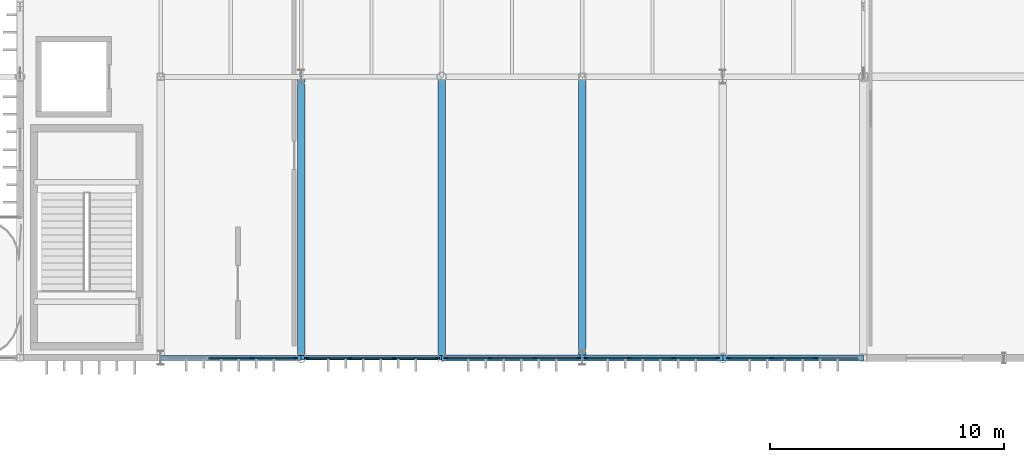
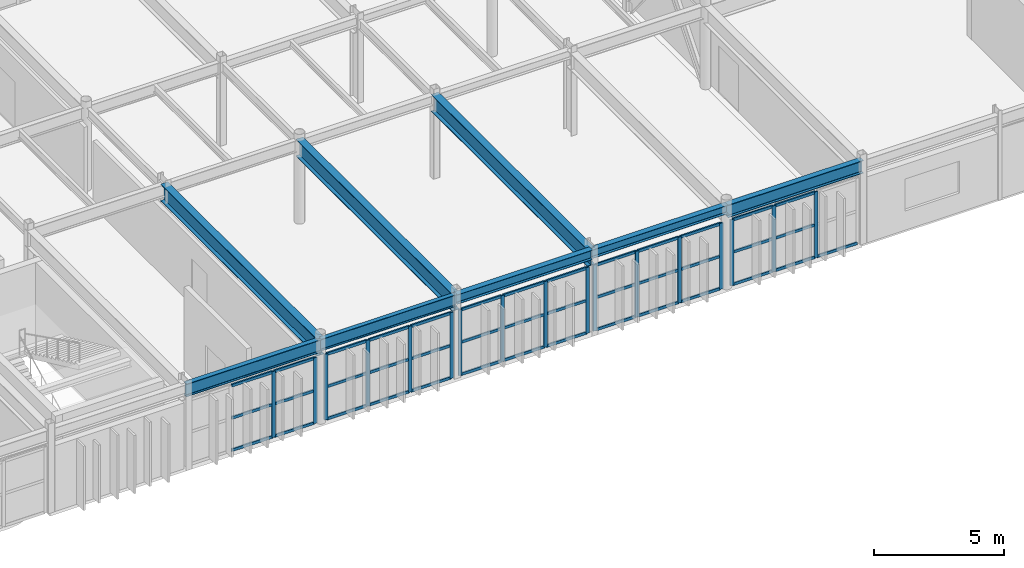
# One storey, part 67 of 116: 57 members, 8 beams, 5 elements without a shape of their own.
"""IFC4 building model written with IfcOpenShell, lengths in metres."""

from ifc_helpers import new_model, si_unit, direction, frame, origin, origin_2d, place, context, subcontext, project, spatial, rectangle, i_section, extrude, material, material_profile, profile_set, type_object, element, aggregate, save


model = new_model("IFC4")

# Units and contexts
model_context = context("Model", 3, precision=1e-05, world=origin(), true_north=direction((0.0, 1.0)))
body_context = subcontext(model_context, "Body", "Model", "MODEL_VIEW")
ifc_project = project(units=[si_unit("LENGTHUNIT", "METRE"), si_unit("AREAUNIT", "SQUARE_METRE"), si_unit("VOLUMEUNIT", "CUBIC_METRE"), si_unit("PLANEANGLEUNIT", "RADIAN"), si_unit("MASSUNIT", "GRAM", prefix="KILO")], contexts=[model_context])

# Site, building, storey
site_placement = place(None, origin())
site = spatial("IfcSite", under=ifc_project, at=site_placement, CompositionType="ELEMENT")
building_placement = place(site_placement, origin())
building = spatial("IfcBuilding", under=site, at=building_placement, Name="Varnakota Square Police Headquarters", CompositionType="ELEMENT")
storey_placement = place(building_placement, frame((0.0, 0.0, 9.300048828125)))
storey = spatial("IfcBuildingStorey", under=building, at=storey_placement, Name="L02", CompositionType="ELEMENT", Elevation=9.300048828125)

# Beams
ifc_material_1 = material(Name="Steel IS 2062 Grade 350", Category="steel")
ifc_material_profile_1 = material_profile(ifc_material_1, i_section(OverallWidth=0.320068359375, OverallDepth=0.800048828125, WebThickness=0.01611328125, FlangeThickness=0.028076171875, at=origin_2d()), Name="BPG 800x320")
ifc_profile_set_1 = profile_set([ifc_material_profile_1], Name="Steel IS 2062 Grade 350")
beam_type_1 = type_object("IfcBeamType", Name="BM-BPG800", PredefinedType="BEAM", material=ifc_profile_set_1)
for number, where, z_axis, x_axis, name in (
    (1, (72.0, 69.0, 3.5), (0.0, 1.0, 0.0), (-1.0, 0.0, 0.0), "BMG-L02-2214"),
    (2, (78.0, 69.0, 3.5), (0.0, 1.0, 0.0), (-1.0, 0.0, 0.0), "BMG-L02-2217"),
    (3, (84.0, 69.0, 3.5), (0.0, 1.0, 0.0), (-1.0, 0.0, 0.0), "BMG-L02-2220"),
):
    element("IfcBeam", number, at=place(storey_placement, frame(where, z_axis=z_axis, x_axis=x_axis)), inside=storey, type_object=beam_type_1, Name=name, PredefinedType="BEAM", context=body_context, shape_type="SweptSolid", body=[
        extrude(i_section(OverallWidth=0.320068359375, OverallDepth=0.800048828125, WebThickness=0.01611328125, FlangeThickness=0.028076171875, at=origin_2d()), origin(), (0.0, 0.0, 1.0), 12.0),
    ])
ifc_material_profile_2 = material_profile(ifc_material_1, i_section(OverallWidth=0.25, OverallDepth=0.39990234375, WebThickness=0.010498046875, FlangeThickness=0.0126953125, FilletRadius=0.013916015625, at=origin_2d()), Name="ISHB 400")
ifc_profile_set_2 = profile_set([ifc_material_profile_2], Name="Steel IS 2062 Grade 350")
beam_type_2 = type_object("IfcBeamType", Name="BM-ISHB400", PredefinedType="BEAM", material=ifc_profile_set_2)
beam_1_placement = place(storey_placement, frame((84.0, 69.0, 3.699951171875), z_axis=(1.0, 0.0, 0.0), x_axis=(0.0, 1.0, 0.0)))
element("IfcBeam", 4, at=beam_1_placement, inside=storey, type_object=beam_type_2, Name="BMG-L02-2018", PredefinedType="BEAM", context=body_context, shape_type="SweptSolid", body=[
    extrude(i_section(OverallWidth=0.25, OverallDepth=0.39990234375, WebThickness=0.010498046875, FlangeThickness=0.0126953125, FilletRadius=0.013916015625, at=origin_2d()), origin(), (0.0, 0.0, 1.0), 6.0),
])
ifc_material_profile_3 = material_profile(ifc_material_1, i_section(OverallWidth=0.25, OverallDepth=0.449951171875, WebThickness=0.01123046875, FlangeThickness=0.013671875, FilletRadius=0.014892578125, at=origin_2d()), Name="ISHB 450")
ifc_profile_set_3 = profile_set([ifc_material_profile_3], Name="Steel IS 2062 Grade 350")
beam_type_3 = type_object("IfcBeamType", Name="BM-ISHB450", PredefinedType="BEAM", material=ifc_profile_set_3)
beam_2_placement = place(storey_placement, frame((78.0, 69.0, 3.675048828125), z_axis=(1.0, 0.0, 0.0), x_axis=(0.0, 1.0, 0.0)))
element("IfcBeam", 5, at=beam_2_placement, inside=storey, type_object=beam_type_3, Name="BMG-L02-2017", PredefinedType="BEAM", context=body_context, shape_type="SweptSolid", body=[
    extrude(i_section(OverallWidth=0.25, OverallDepth=0.449951171875, WebThickness=0.01123046875, FlangeThickness=0.013671875, FilletRadius=0.014892578125, at=origin_2d()), origin(), (0.0, 0.0, 1.0), 6.0),
])
ifc_material_profile_4 = material_profile(ifc_material_1, i_section(OverallWidth=0.18994140625, OverallDepth=0.550048828125, WebThickness=0.01123046875, FlangeThickness=0.019287109375, FilletRadius=0.01806640625, at=origin_2d()), Name="ISMB 550")
ifc_profile_set_4 = profile_set([ifc_material_profile_4], Name="Steel IS 2062 Grade 350")
beam_type_4 = type_object("IfcBeamType", Name="BM-ISMB550", PredefinedType="BEAM", material=ifc_profile_set_4)
beam_3_placement = place(storey_placement, frame((72.0, 69.0, 3.625), z_axis=(1.0, 0.0, 0.0), x_axis=(0.0, 1.0, 0.0)))
element("IfcBeam", 6, at=beam_3_placement, inside=storey, type_object=beam_type_4, Name="BMG-L02-2016", PredefinedType="BEAM", context=body_context, shape_type="SweptSolid", body=[
    extrude(i_section(OverallWidth=0.18994140625, OverallDepth=0.550048828125, WebThickness=0.01123046875, FlangeThickness=0.019287109375, FilletRadius=0.01806640625, at=origin_2d()), origin(), (0.0, 0.0, 1.0), 6.0),
])
ifc_material_profile_5 = material_profile(ifc_material_1, i_section(OverallWidth=0.2099609375, OverallDepth=0.60009765625, WebThickness=0.011962890625, FlangeThickness=0.020751953125, FilletRadius=0.02001953125, at=origin_2d()), Name="ISMB 600")
ifc_profile_set_5 = profile_set([ifc_material_profile_5], Name="Steel IS 2062 Grade 350")
beam_type_5 = type_object("IfcBeamType", Name="BM-ISMB600", PredefinedType="BEAM", material=ifc_profile_set_5)
beam_4_placement = place(storey_placement, frame((66.0, 69.0, 3.599853515625), z_axis=(1.0, 0.0, 0.0), x_axis=(0.0, 1.0, 0.0)))
element("IfcBeam", 7, at=beam_4_placement, inside=storey, type_object=beam_type_5, Name="BMG-L02-2015", PredefinedType="BEAM", context=body_context, shape_type="SweptSolid", body=[
    extrude(i_section(OverallWidth=0.2099609375, OverallDepth=0.60009765625, WebThickness=0.011962890625, FlangeThickness=0.020751953125, FilletRadius=0.02001953125, at=origin_2d()), origin(), (0.0, 0.0, 1.0), 6.0),
])
ifc_material_profile_6 = material_profile(ifc_material_1, i_section(OverallWidth=0.25, OverallDepth=0.60009765625, WebThickness=0.01171875, FlangeThickness=0.023681640625, FilletRadius=0.01708984375, at=origin_2d()), Name="ISWB 600")
ifc_profile_set_6 = profile_set([ifc_material_profile_6], Name="Steel IS 2062 Grade 350")
beam_type_6 = type_object("IfcBeamType", Name="BM-ISWB600", PredefinedType="BEAM", material=ifc_profile_set_6)
beam_5_placement = place(storey_placement, frame((90.0, 69.0, 3.599853515625), z_axis=(1.0, 0.0, 0.0), x_axis=(0.0, 1.0, 0.0)))
element("IfcBeam", 8, at=beam_5_placement, inside=storey, type_object=beam_type_6, Name="BMG-L02-2019", PredefinedType="BEAM", context=body_context, shape_type="SweptSolid", body=[
    extrude(i_section(OverallWidth=0.25, OverallDepth=0.60009765625, WebThickness=0.01171875, FlangeThickness=0.023681640625, FilletRadius=0.01708984375, at=origin_2d()), origin(), (0.0, 0.0, 1.0), 6.0),
])

# Curtain wall, members
ifc_material_2 = material(Name="Anodised Aluminium Framing", Category="aluminium")
curtain_wall_type = type_object("IfcCurtainWallType", Name="CW-SYS-B", PredefinedType="NOTDEFINED", material=ifc_material_2)
curtain_wall_1_placement = place(storey_placement, origin())
curtain_wall_1 = element("IfcCurtainWall", 9, at=curtain_wall_1_placement, inside=storey, type_object=curtain_wall_type, Name="Unitised curtain wall CWG-L02-236", PredefinedType="NOTDEFINED")
ifc_material_3 = material(Name="Anodised Aluminium 6063-T6", Category="aluminium")
ifc_material_profile_7 = material_profile(ifc_material_3, rectangle(XDim=0.06494140625, YDim=0.159912109375, at=origin_2d()), Name="ALU MULLION 65x160")
ifc_profile_set_7 = profile_set([ifc_material_profile_7], Name="Anodised Aluminium 6063-T6")
member_type_1 = type_object("IfcMemberType", Name="CWM-150", PredefinedType="MULLION", material=ifc_profile_set_7)
member_1_placement = place(storey_placement, frame((69.904541015625, 69.0, 0.0), z_axis=(0.0, 0.0, 1.0), x_axis=(0.0, 1.0, 0.0)))
member_1 = element("IfcMember", 10, at=member_1_placement, type_object=member_type_1, Name="CWG-L02-236 mullion 3", PredefinedType="MULLION", context=body_context, shape_type="SweptSolid", body=[
    extrude(rectangle(XDim=0.06494140625, YDim=0.159912109375, at=origin_2d()), origin(), (0.0, 0.0, 1.0), 3.08984375),
])
member_2_placement = place(storey_placement, frame((71.75927734375, 69.0, 0.0), z_axis=(0.0, 0.0, 1.0), x_axis=(0.0, 1.0, 0.0)))
member_2 = element("IfcMember", 11, at=member_2_placement, type_object=member_type_1, Name="CWG-L02-236 mullion 4", PredefinedType="MULLION", context=body_context, shape_type="SweptSolid", body=[
    extrude(rectangle(XDim=0.06494140625, YDim=0.159912109375, at=origin_2d()), origin(), (0.0, 0.0, 1.0), 3.08984375),
])

curtain_wall_2_placement = place(storey_placement, origin())
curtain_wall_2 = element("IfcCurtainWall", 12, at=curtain_wall_2_placement, inside=storey, type_object=curtain_wall_type, Name="Unitised curtain wall CWG-L02-237", PredefinedType="NOTDEFINED")
member_3_placement = place(storey_placement, frame((72.24072265625, 69.0, 0.0), z_axis=(0.0, 0.0, 1.0), x_axis=(0.0, 1.0, 0.0)))
member_3 = element("IfcMember", 13, at=member_3_placement, type_object=member_type_1, Name="CWG-L02-237 mullion 1", PredefinedType="MULLION", context=body_context, shape_type="SweptSolid", body=[
    extrude(rectangle(XDim=0.06494140625, YDim=0.159912109375, at=origin_2d()), origin(), (0.0, 0.0, 1.0), 3.08984375),
])
member_4_placement = place(storey_placement, frame((74.087158203125, 69.0, 0.0), z_axis=(0.0, 0.0, 1.0), x_axis=(0.0, 1.0, 0.0)))
member_4 = element("IfcMember", 14, at=member_4_placement, type_object=member_type_1, Name="CWG-L02-237 mullion 2", PredefinedType="MULLION", context=body_context, shape_type="SweptSolid", body=[
    extrude(rectangle(XDim=0.06494140625, YDim=0.159912109375, at=origin_2d()), origin(), (0.0, 0.0, 1.0), 3.08984375),
])
member_5_placement = place(storey_placement, frame((75.966064453125, 69.0, 0.0), z_axis=(0.0, 0.0, 1.0), x_axis=(0.0, 1.0, 0.0)))
member_5 = element("IfcMember", 15, at=member_5_placement, type_object=member_type_1, Name="CWG-L02-237 mullion 3", PredefinedType="MULLION", context=body_context, shape_type="SweptSolid", body=[
    extrude(rectangle(XDim=0.06494140625, YDim=0.159912109375, at=origin_2d()), origin(), (0.0, 0.0, 1.0), 3.08984375),
])
member_6_placement = place(storey_placement, frame((77.8125, 69.0, 0.0), z_axis=(0.0, 0.0, 1.0), x_axis=(0.0, 1.0, 0.0)))
member_6 = element("IfcMember", 16, at=member_6_placement, type_object=member_type_1, Name="CWG-L02-237 mullion 4", PredefinedType="MULLION", context=body_context, shape_type="SweptSolid", body=[
    extrude(rectangle(XDim=0.06494140625, YDim=0.159912109375, at=origin_2d()), origin(), (0.0, 0.0, 1.0), 3.08984375),
])

curtain_wall_3_placement = place(storey_placement, origin())
curtain_wall_3 = element("IfcCurtainWall", 17, at=curtain_wall_3_placement, inside=storey, type_object=curtain_wall_type, Name="Unitised curtain wall CWG-L02-238", PredefinedType="NOTDEFINED")
member_7_placement = place(storey_placement, frame((78.1875, 69.0, 0.0), z_axis=(0.0, 0.0, 1.0), x_axis=(0.0, 1.0, 0.0)))
member_7 = element("IfcMember", 18, at=member_7_placement, type_object=member_type_1, Name="CWG-L02-238 mullion 1", PredefinedType="MULLION", context=body_context, shape_type="SweptSolid", body=[
    extrude(rectangle(XDim=0.06494140625, YDim=0.159912109375, at=origin_2d()), origin(), (0.0, 0.0, 1.0), 3.08984375),
])
member_8_placement = place(storey_placement, frame((80.06005859375, 69.0, 0.0), z_axis=(0.0, 0.0, 1.0), x_axis=(0.0, 1.0, 0.0)))
member_8 = element("IfcMember", 19, at=member_8_placement, type_object=member_type_1, Name="CWG-L02-238 mullion 2", PredefinedType="MULLION", context=body_context, shape_type="SweptSolid", body=[
    extrude(rectangle(XDim=0.06494140625, YDim=0.159912109375, at=origin_2d()), origin(), (0.0, 0.0, 1.0), 3.08984375),
])
member_9_placement = place(storey_placement, frame((81.965087890625, 69.0, 0.0), z_axis=(0.0, 0.0, 1.0), x_axis=(0.0, 1.0, 0.0)))
member_9 = element("IfcMember", 20, at=member_9_placement, type_object=member_type_1, Name="CWG-L02-238 mullion 3", PredefinedType="MULLION", context=body_context, shape_type="SweptSolid", body=[
    extrude(rectangle(XDim=0.06494140625, YDim=0.159912109375, at=origin_2d()), origin(), (0.0, 0.0, 1.0), 3.08984375),
])
member_10_placement = place(storey_placement, frame((83.83740234375, 69.0, 0.0), z_axis=(0.0, 0.0, 1.0), x_axis=(0.0, 1.0, 0.0)))
member_10 = element("IfcMember", 21, at=member_10_placement, type_object=member_type_1, Name="CWG-L02-238 mullion 4", PredefinedType="MULLION", context=body_context, shape_type="SweptSolid", body=[
    extrude(rectangle(XDim=0.06494140625, YDim=0.159912109375, at=origin_2d()), origin(), (0.0, 0.0, 1.0), 3.08984375),
])

curtain_wall_4_placement = place(storey_placement, origin())
curtain_wall_4 = element("IfcCurtainWall", 22, at=curtain_wall_4_placement, inside=storey, type_object=curtain_wall_type, Name="Unitised curtain wall CWG-L02-239", PredefinedType="NOTDEFINED")
member_11_placement = place(storey_placement, frame((84.16259765625, 69.0, 0.0), z_axis=(0.0, 0.0, 1.0), x_axis=(0.0, 1.0, 0.0)))
member_11 = element("IfcMember", 23, at=member_11_placement, type_object=member_type_1, Name="CWG-L02-239 mullion 1", PredefinedType="MULLION", context=body_context, shape_type="SweptSolid", body=[
    extrude(rectangle(XDim=0.06494140625, YDim=0.159912109375, at=origin_2d()), origin(), (0.0, 0.0, 1.0), 3.08984375),
])
member_12_placement = place(storey_placement, frame((86.017333984375, 69.0, 0.0), z_axis=(0.0, 0.0, 1.0), x_axis=(0.0, 1.0, 0.0)))
member_12 = element("IfcMember", 24, at=member_12_placement, type_object=member_type_1, Name="CWG-L02-239 mullion 2", PredefinedType="MULLION", context=body_context, shape_type="SweptSolid", body=[
    extrude(rectangle(XDim=0.06494140625, YDim=0.159912109375, at=origin_2d()), origin(), (0.0, 0.0, 1.0), 3.08984375),
])
member_13_placement = place(storey_placement, frame((87.904541015625, 69.0, 0.0), z_axis=(0.0, 0.0, 1.0), x_axis=(0.0, 1.0, 0.0)))
member_13 = element("IfcMember", 25, at=member_13_placement, type_object=member_type_1, Name="CWG-L02-239 mullion 3", PredefinedType="MULLION", context=body_context, shape_type="SweptSolid", body=[
    extrude(rectangle(XDim=0.06494140625, YDim=0.159912109375, at=origin_2d()), origin(), (0.0, 0.0, 1.0), 3.08984375),
])
member_14_placement = place(storey_placement, frame((89.75927734375, 69.0, 0.0), z_axis=(0.0, 0.0, 1.0), x_axis=(0.0, 1.0, 0.0)))
member_14 = element("IfcMember", 26, at=member_14_placement, type_object=member_type_1, Name="CWG-L02-239 mullion 4", PredefinedType="MULLION", context=body_context, shape_type="SweptSolid", body=[
    extrude(rectangle(XDim=0.06494140625, YDim=0.159912109375, at=origin_2d()), origin(), (0.0, 0.0, 1.0), 3.08984375),
])

curtain_wall_5_placement = place(storey_placement, origin())
curtain_wall_5 = element("IfcCurtainWall", 27, at=curtain_wall_5_placement, inside=storey, type_object=curtain_wall_type, Name="Unitised curtain wall CWG-L02-240", PredefinedType="NOTDEFINED")
member_15_placement = place(storey_placement, frame((90.24072265625, 69.0, 0.0), z_axis=(0.0, 0.0, 1.0), x_axis=(0.0, 1.0, 0.0)))
member_15 = element("IfcMember", 28, at=member_15_placement, type_object=member_type_1, Name="CWG-L02-240 mullion 1", PredefinedType="MULLION", context=body_context, shape_type="SweptSolid", body=[
    extrude(rectangle(XDim=0.06494140625, YDim=0.159912109375, at=origin_2d()), origin(), (0.0, 0.0, 1.0), 3.08984375),
])
member_16_placement = place(storey_placement, frame((92.087158203125, 69.0, 0.0), z_axis=(0.0, 0.0, 1.0), x_axis=(0.0, 1.0, 0.0)))
member_16 = element("IfcMember", 29, at=member_16_placement, type_object=member_type_1, Name="CWG-L02-240 mullion 2", PredefinedType="MULLION", context=body_context, shape_type="SweptSolid", body=[
    extrude(rectangle(XDim=0.06494140625, YDim=0.159912109375, at=origin_2d()), origin(), (0.0, 0.0, 1.0), 3.08984375),
])
member_17_placement = place(storey_placement, frame((93.966064453125, 69.0, 0.0), z_axis=(0.0, 0.0, 1.0), x_axis=(0.0, 1.0, 0.0)))
member_17 = element("IfcMember", 30, at=member_17_placement, type_object=member_type_1, Name="CWG-L02-240 mullion 3", PredefinedType="MULLION", context=body_context, shape_type="SweptSolid", body=[
    extrude(rectangle(XDim=0.06494140625, YDim=0.159912109375, at=origin_2d()), origin(), (0.0, 0.0, 1.0), 3.08984375),
])

# Member
ifc_material_profile_8 = material_profile(ifc_material_3, rectangle(XDim=0.06494140625, YDim=0.1298828125, at=origin_2d()), Name="ALU TRANSOM 65x130")
ifc_profile_set_8 = profile_set([ifc_material_profile_8], Name="Anodised Aluminium 6063-T6")
member_type_2 = type_object("IfcMemberType", Name="CWT-120", PredefinedType="USERDEFINED", material=ifc_profile_set_8)
member_18_placement = place(storey_placement, frame((68.0498046875, 69.0, 0.032470703125), z_axis=(1.0, 0.0, 0.0), x_axis=(0.0, 1.0, 0.0)))
member_18 = element("IfcMember", 31, at=member_18_placement, type_object=member_type_2, Name="CWG-L02-236 transom 2.1", ObjectType="TRANSOM", PredefinedType="USERDEFINED", context=body_context, shape_type="SweptSolid", body=[
    extrude(rectangle(XDim=0.06494140625, YDim=0.1298828125, at=origin_2d()), origin(), (0.0, 0.0, 1.0), 1.822265625),
])

member_19_placement = place(storey_placement, frame((68.0498046875, 69.0, 1.544921875), z_axis=(1.0, 0.0, 0.0), x_axis=(0.0, 1.0, 0.0)))
member_19 = element("IfcMember", 32, at=member_19_placement, type_object=member_type_2, Name="CWG-L02-236 transom 2.2", ObjectType="TRANSOM", PredefinedType="USERDEFINED", context=body_context, shape_type="SweptSolid", body=[
    extrude(rectangle(XDim=0.06494140625, YDim=0.1298828125, at=origin_2d()), origin(), (0.0, 0.0, 1.0), 1.822265625),
])

member_20_placement = place(storey_placement, frame((68.0498046875, 69.0, 3.057373046875), z_axis=(1.0, 0.0, 0.0), x_axis=(0.0, 1.0, 0.0)))
member_20 = element("IfcMember", 33, at=member_20_placement, type_object=member_type_2, Name="CWG-L02-236 transom 2.3", ObjectType="TRANSOM", PredefinedType="USERDEFINED", context=body_context, shape_type="SweptSolid", body=[
    extrude(rectangle(XDim=0.06494140625, YDim=0.1298828125, at=origin_2d()), origin(), (0.0, 0.0, 1.0), 1.822265625),
])

member_21_placement = place(storey_placement, frame((69.93701171875, 69.0, 0.032470703125), z_axis=(1.0, 0.0, 0.0), x_axis=(0.0, 1.0, 0.0)))
member_21 = element("IfcMember", 34, at=member_21_placement, type_object=member_type_2, Name="CWG-L02-236 transom 3.1", ObjectType="TRANSOM", PredefinedType="USERDEFINED", context=body_context, shape_type="SweptSolid", body=[
    extrude(rectangle(XDim=0.06494140625, YDim=0.1298828125, at=origin_2d()), origin(), (0.0, 0.0, 1.0), 1.789794921875),
])

member_22_placement = place(storey_placement, frame((69.93701171875, 69.0, 1.544921875), z_axis=(1.0, 0.0, 0.0), x_axis=(0.0, 1.0, 0.0)))
member_22 = element("IfcMember", 35, at=member_22_placement, type_object=member_type_2, Name="CWG-L02-236 transom 3.2", ObjectType="TRANSOM", PredefinedType="USERDEFINED", context=body_context, shape_type="SweptSolid", body=[
    extrude(rectangle(XDim=0.06494140625, YDim=0.1298828125, at=origin_2d()), origin(), (0.0, 0.0, 1.0), 1.789794921875),
])

member_23_placement = place(storey_placement, frame((69.93701171875, 69.0, 3.057373046875), z_axis=(1.0, 0.0, 0.0), x_axis=(0.0, 1.0, 0.0)))
member_23 = element("IfcMember", 36, at=member_23_placement, type_object=member_type_2, Name="CWG-L02-236 transom 3.3", ObjectType="TRANSOM", PredefinedType="USERDEFINED", context=body_context, shape_type="SweptSolid", body=[
    extrude(rectangle(XDim=0.06494140625, YDim=0.1298828125, at=origin_2d()), origin(), (0.0, 0.0, 1.0), 1.789794921875),
])

aggregate(curtain_wall_1, [member_1, member_2, member_18, member_19, member_20, member_21, member_22, member_23])

member_24_placement = place(storey_placement, frame((72.273193359375, 69.0, 0.032470703125), z_axis=(1.0, 0.0, 0.0), x_axis=(0.0, 1.0, 0.0)))
member_24 = element("IfcMember", 37, at=member_24_placement, type_object=member_type_2, Name="CWG-L02-237 transom 1.1", ObjectType="TRANSOM", PredefinedType="USERDEFINED", context=body_context, shape_type="SweptSolid", body=[
    extrude(rectangle(XDim=0.06494140625, YDim=0.1298828125, at=origin_2d()), origin(), (0.0, 0.0, 1.0), 1.781494140625),
])

member_25_placement = place(storey_placement, frame((72.273193359375, 69.0, 1.544921875), z_axis=(1.0, 0.0, 0.0), x_axis=(0.0, 1.0, 0.0)))
member_25 = element("IfcMember", 38, at=member_25_placement, type_object=member_type_2, Name="CWG-L02-237 transom 1.2", ObjectType="TRANSOM", PredefinedType="USERDEFINED", context=body_context, shape_type="SweptSolid", body=[
    extrude(rectangle(XDim=0.06494140625, YDim=0.1298828125, at=origin_2d()), origin(), (0.0, 0.0, 1.0), 1.781494140625),
])

member_26_placement = place(storey_placement, frame((72.273193359375, 69.0, 3.057373046875), z_axis=(1.0, 0.0, 0.0), x_axis=(0.0, 1.0, 0.0)))
member_26 = element("IfcMember", 39, at=member_26_placement, type_object=member_type_2, Name="CWG-L02-237 transom 1.3", ObjectType="TRANSOM", PredefinedType="USERDEFINED", context=body_context, shape_type="SweptSolid", body=[
    extrude(rectangle(XDim=0.06494140625, YDim=0.1298828125, at=origin_2d()), origin(), (0.0, 0.0, 1.0), 1.781494140625),
])

member_27_placement = place(storey_placement, frame((74.11962890625, 69.0, 0.032470703125), z_axis=(1.0, 0.0, 0.0), x_axis=(0.0, 1.0, 0.0)))
member_27 = element("IfcMember", 40, at=member_27_placement, type_object=member_type_2, Name="CWG-L02-237 transom 2.1", ObjectType="TRANSOM", PredefinedType="USERDEFINED", context=body_context, shape_type="SweptSolid", body=[
    extrude(rectangle(XDim=0.06494140625, YDim=0.1298828125, at=origin_2d()), origin(), (0.0, 0.0, 1.0), 1.81396484375),
])

member_28_placement = place(storey_placement, frame((74.11962890625, 69.0, 1.544921875), z_axis=(1.0, 0.0, 0.0), x_axis=(0.0, 1.0, 0.0)))
member_28 = element("IfcMember", 41, at=member_28_placement, type_object=member_type_2, Name="CWG-L02-237 transom 2.2", ObjectType="TRANSOM", PredefinedType="USERDEFINED", context=body_context, shape_type="SweptSolid", body=[
    extrude(rectangle(XDim=0.06494140625, YDim=0.1298828125, at=origin_2d()), origin(), (0.0, 0.0, 1.0), 1.81396484375),
])

member_29_placement = place(storey_placement, frame((74.11962890625, 69.0, 3.057373046875), z_axis=(1.0, 0.0, 0.0), x_axis=(0.0, 1.0, 0.0)))
member_29 = element("IfcMember", 42, at=member_29_placement, type_object=member_type_2, Name="CWG-L02-237 transom 2.3", ObjectType="TRANSOM", PredefinedType="USERDEFINED", context=body_context, shape_type="SweptSolid", body=[
    extrude(rectangle(XDim=0.06494140625, YDim=0.1298828125, at=origin_2d()), origin(), (0.0, 0.0, 1.0), 1.81396484375),
])

member_30_placement = place(storey_placement, frame((75.99853515625, 69.0, 0.032470703125), z_axis=(1.0, 0.0, 0.0), x_axis=(0.0, 1.0, 0.0)))
member_30 = element("IfcMember", 43, at=member_30_placement, type_object=member_type_2, Name="CWG-L02-237 transom 3.1", ObjectType="TRANSOM", PredefinedType="USERDEFINED", context=body_context, shape_type="SweptSolid", body=[
    extrude(rectangle(XDim=0.06494140625, YDim=0.1298828125, at=origin_2d()), origin(), (0.0, 0.0, 1.0), 1.781494140625),
])

member_31_placement = place(storey_placement, frame((75.99853515625, 69.0, 1.544921875), z_axis=(1.0, 0.0, 0.0), x_axis=(0.0, 1.0, 0.0)))
member_31 = element("IfcMember", 44, at=member_31_placement, type_object=member_type_2, Name="CWG-L02-237 transom 3.2", ObjectType="TRANSOM", PredefinedType="USERDEFINED", context=body_context, shape_type="SweptSolid", body=[
    extrude(rectangle(XDim=0.06494140625, YDim=0.1298828125, at=origin_2d()), origin(), (0.0, 0.0, 1.0), 1.781494140625),
])

member_32_placement = place(storey_placement, frame((75.99853515625, 69.0, 3.057373046875), z_axis=(1.0, 0.0, 0.0), x_axis=(0.0, 1.0, 0.0)))
member_32 = element("IfcMember", 45, at=member_32_placement, type_object=member_type_2, Name="CWG-L02-237 transom 3.3", ObjectType="TRANSOM", PredefinedType="USERDEFINED", context=body_context, shape_type="SweptSolid", body=[
    extrude(rectangle(XDim=0.06494140625, YDim=0.1298828125, at=origin_2d()), origin(), (0.0, 0.0, 1.0), 1.781494140625),
])

aggregate(curtain_wall_2, [member_3, member_4, member_5, member_6, member_24, member_25, member_26, member_27, member_28, member_29, member_30, member_31, member_32])

member_33_placement = place(storey_placement, frame((78.219970703125, 69.0, 0.032470703125), z_axis=(1.0, 0.0, 0.0), x_axis=(0.0, 1.0, 0.0)))
member_33 = element("IfcMember", 46, at=member_33_placement, type_object=member_type_2, Name="CWG-L02-238 transom 1.1", ObjectType="TRANSOM", PredefinedType="USERDEFINED", context=body_context, shape_type="SweptSolid", body=[
    extrude(rectangle(XDim=0.06494140625, YDim=0.1298828125, at=origin_2d()), origin(), (0.0, 0.0, 1.0), 1.8076171875),
])

member_34_placement = place(storey_placement, frame((78.219970703125, 69.0, 1.544921875), z_axis=(1.0, 0.0, 0.0), x_axis=(0.0, 1.0, 0.0)))
member_34 = element("IfcMember", 47, at=member_34_placement, type_object=member_type_2, Name="CWG-L02-238 transom 1.2", ObjectType="TRANSOM", PredefinedType="USERDEFINED", context=body_context, shape_type="SweptSolid", body=[
    extrude(rectangle(XDim=0.06494140625, YDim=0.1298828125, at=origin_2d()), origin(), (0.0, 0.0, 1.0), 1.8076171875),
])

member_35_placement = place(storey_placement, frame((78.219970703125, 69.0, 3.057373046875), z_axis=(1.0, 0.0, 0.0), x_axis=(0.0, 1.0, 0.0)))
member_35 = element("IfcMember", 48, at=member_35_placement, type_object=member_type_2, Name="CWG-L02-238 transom 1.3", ObjectType="TRANSOM", PredefinedType="USERDEFINED", context=body_context, shape_type="SweptSolid", body=[
    extrude(rectangle(XDim=0.06494140625, YDim=0.1298828125, at=origin_2d()), origin(), (0.0, 0.0, 1.0), 1.8076171875),
])

member_36_placement = place(storey_placement, frame((80.092529296875, 69.0, 0.032470703125), z_axis=(1.0, 0.0, 0.0), x_axis=(0.0, 1.0, 0.0)))
member_36 = element("IfcMember", 49, at=member_36_placement, type_object=member_type_2, Name="CWG-L02-238 transom 2.1", ObjectType="TRANSOM", PredefinedType="USERDEFINED", context=body_context, shape_type="SweptSolid", body=[
    extrude(rectangle(XDim=0.06494140625, YDim=0.1298828125, at=origin_2d()), origin(), (0.0, 0.0, 1.0), 1.840087890625),
])

member_37_placement = place(storey_placement, frame((80.092529296875, 69.0, 1.544921875), z_axis=(1.0, 0.0, 0.0), x_axis=(0.0, 1.0, 0.0)))
member_37 = element("IfcMember", 50, at=member_37_placement, type_object=member_type_2, Name="CWG-L02-238 transom 2.2", ObjectType="TRANSOM", PredefinedType="USERDEFINED", context=body_context, shape_type="SweptSolid", body=[
    extrude(rectangle(XDim=0.06494140625, YDim=0.1298828125, at=origin_2d()), origin(), (0.0, 0.0, 1.0), 1.840087890625),
])

member_38_placement = place(storey_placement, frame((80.092529296875, 69.0, 3.057373046875), z_axis=(1.0, 0.0, 0.0), x_axis=(0.0, 1.0, 0.0)))
member_38 = element("IfcMember", 51, at=member_38_placement, type_object=member_type_2, Name="CWG-L02-238 transom 2.3", ObjectType="TRANSOM", PredefinedType="USERDEFINED", context=body_context, shape_type="SweptSolid", body=[
    extrude(rectangle(XDim=0.06494140625, YDim=0.1298828125, at=origin_2d()), origin(), (0.0, 0.0, 1.0), 1.840087890625),
])

member_39_placement = place(storey_placement, frame((81.99755859375, 69.0, 0.032470703125), z_axis=(1.0, 0.0, 0.0), x_axis=(0.0, 1.0, 0.0)))
member_39 = element("IfcMember", 52, at=member_39_placement, type_object=member_type_2, Name="CWG-L02-238 transom 3.1", ObjectType="TRANSOM", PredefinedType="USERDEFINED", context=body_context, shape_type="SweptSolid", body=[
    extrude(rectangle(XDim=0.06494140625, YDim=0.1298828125, at=origin_2d()), origin(), (0.0, 0.0, 1.0), 1.807373046875),
])

member_40_placement = place(storey_placement, frame((81.99755859375, 69.0, 1.544921875), z_axis=(1.0, 0.0, 0.0), x_axis=(0.0, 1.0, 0.0)))
member_40 = element("IfcMember", 53, at=member_40_placement, type_object=member_type_2, Name="CWG-L02-238 transom 3.2", ObjectType="TRANSOM", PredefinedType="USERDEFINED", context=body_context, shape_type="SweptSolid", body=[
    extrude(rectangle(XDim=0.06494140625, YDim=0.1298828125, at=origin_2d()), origin(), (0.0, 0.0, 1.0), 1.807373046875),
])

member_41_placement = place(storey_placement, frame((81.99755859375, 69.0, 3.057373046875), z_axis=(1.0, 0.0, 0.0), x_axis=(0.0, 1.0, 0.0)))
member_41 = element("IfcMember", 54, at=member_41_placement, type_object=member_type_2, Name="CWG-L02-238 transom 3.3", ObjectType="TRANSOM", PredefinedType="USERDEFINED", context=body_context, shape_type="SweptSolid", body=[
    extrude(rectangle(XDim=0.06494140625, YDim=0.1298828125, at=origin_2d()), origin(), (0.0, 0.0, 1.0), 1.807373046875),
])

aggregate(curtain_wall_3, [member_7, member_8, member_9, member_10, member_33, member_34, member_35, member_36, member_37, member_38, member_39, member_40, member_41])

member_42_placement = place(storey_placement, frame((84.195068359375, 69.0, 0.032470703125), z_axis=(1.0, 0.0, 0.0), x_axis=(0.0, 1.0, 0.0)))
member_42 = element("IfcMember", 55, at=member_42_placement, type_object=member_type_2, Name="CWG-L02-239 transom 1.1", ObjectType="TRANSOM", PredefinedType="USERDEFINED", context=body_context, shape_type="SweptSolid", body=[
    extrude(rectangle(XDim=0.06494140625, YDim=0.1298828125, at=origin_2d()), origin(), (0.0, 0.0, 1.0), 1.789794921875),
])

member_43_placement = place(storey_placement, frame((84.195068359375, 69.0, 1.544921875), z_axis=(1.0, 0.0, 0.0), x_axis=(0.0, 1.0, 0.0)))
member_43 = element("IfcMember", 56, at=member_43_placement, type_object=member_type_2, Name="CWG-L02-239 transom 1.2", ObjectType="TRANSOM", PredefinedType="USERDEFINED", context=body_context, shape_type="SweptSolid", body=[
    extrude(rectangle(XDim=0.06494140625, YDim=0.1298828125, at=origin_2d()), origin(), (0.0, 0.0, 1.0), 1.789794921875),
])

member_44_placement = place(storey_placement, frame((84.195068359375, 69.0, 3.057373046875), z_axis=(1.0, 0.0, 0.0), x_axis=(0.0, 1.0, 0.0)))
member_44 = element("IfcMember", 57, at=member_44_placement, type_object=member_type_2, Name="CWG-L02-239 transom 1.3", ObjectType="TRANSOM", PredefinedType="USERDEFINED", context=body_context, shape_type="SweptSolid", body=[
    extrude(rectangle(XDim=0.06494140625, YDim=0.1298828125, at=origin_2d()), origin(), (0.0, 0.0, 1.0), 1.789794921875),
])

member_45_placement = place(storey_placement, frame((86.0498046875, 69.0, 0.032470703125), z_axis=(1.0, 0.0, 0.0), x_axis=(0.0, 1.0, 0.0)))
member_45 = element("IfcMember", 58, at=member_45_placement, type_object=member_type_2, Name="CWG-L02-239 transom 2.1", ObjectType="TRANSOM", PredefinedType="USERDEFINED", context=body_context, shape_type="SweptSolid", body=[
    extrude(rectangle(XDim=0.06494140625, YDim=0.1298828125, at=origin_2d()), origin(), (0.0, 0.0, 1.0), 1.822265625),
])

member_46_placement = place(storey_placement, frame((86.0498046875, 69.0, 1.544921875), z_axis=(1.0, 0.0, 0.0), x_axis=(0.0, 1.0, 0.0)))
member_46 = element("IfcMember", 59, at=member_46_placement, type_object=member_type_2, Name="CWG-L02-239 transom 2.2", ObjectType="TRANSOM", PredefinedType="USERDEFINED", context=body_context, shape_type="SweptSolid", body=[
    extrude(rectangle(XDim=0.06494140625, YDim=0.1298828125, at=origin_2d()), origin(), (0.0, 0.0, 1.0), 1.822265625),
])

member_47_placement = place(storey_placement, frame((86.0498046875, 69.0, 3.057373046875), z_axis=(1.0, 0.0, 0.0), x_axis=(0.0, 1.0, 0.0)))
member_47 = element("IfcMember", 60, at=member_47_placement, type_object=member_type_2, Name="CWG-L02-239 transom 2.3", ObjectType="TRANSOM", PredefinedType="USERDEFINED", context=body_context, shape_type="SweptSolid", body=[
    extrude(rectangle(XDim=0.06494140625, YDim=0.1298828125, at=origin_2d()), origin(), (0.0, 0.0, 1.0), 1.822265625),
])

member_48_placement = place(storey_placement, frame((87.93701171875, 69.0, 0.032470703125), z_axis=(1.0, 0.0, 0.0), x_axis=(0.0, 1.0, 0.0)))
member_48 = element("IfcMember", 61, at=member_48_placement, type_object=member_type_2, Name="CWG-L02-239 transom 3.1", ObjectType="TRANSOM", PredefinedType="USERDEFINED", context=body_context, shape_type="SweptSolid", body=[
    extrude(rectangle(XDim=0.06494140625, YDim=0.1298828125, at=origin_2d()), origin(), (0.0, 0.0, 1.0), 1.789794921875),
])

member_49_placement = place(storey_placement, frame((87.93701171875, 69.0, 1.544921875), z_axis=(1.0, 0.0, 0.0), x_axis=(0.0, 1.0, 0.0)))
member_49 = element("IfcMember", 62, at=member_49_placement, type_object=member_type_2, Name="CWG-L02-239 transom 3.2", ObjectType="TRANSOM", PredefinedType="USERDEFINED", context=body_context, shape_type="SweptSolid", body=[
    extrude(rectangle(XDim=0.06494140625, YDim=0.1298828125, at=origin_2d()), origin(), (0.0, 0.0, 1.0), 1.789794921875),
])

member_50_placement = place(storey_placement, frame((87.93701171875, 69.0, 3.057373046875), z_axis=(1.0, 0.0, 0.0), x_axis=(0.0, 1.0, 0.0)))
member_50 = element("IfcMember", 63, at=member_50_placement, type_object=member_type_2, Name="CWG-L02-239 transom 3.3", ObjectType="TRANSOM", PredefinedType="USERDEFINED", context=body_context, shape_type="SweptSolid", body=[
    extrude(rectangle(XDim=0.06494140625, YDim=0.1298828125, at=origin_2d()), origin(), (0.0, 0.0, 1.0), 1.789794921875),
])

aggregate(curtain_wall_4, [member_11, member_12, member_13, member_14, member_42, member_43, member_44, member_45, member_46, member_47, member_48, member_49, member_50])

member_51_placement = place(storey_placement, frame((90.273193359375, 69.0, 0.032470703125), z_axis=(1.0, 0.0, 0.0), x_axis=(0.0, 1.0, 0.0)))
member_51 = element("IfcMember", 64, at=member_51_placement, type_object=member_type_2, Name="CWG-L02-240 transom 1.1", ObjectType="TRANSOM", PredefinedType="USERDEFINED", context=body_context, shape_type="SweptSolid", body=[
    extrude(rectangle(XDim=0.06494140625, YDim=0.1298828125, at=origin_2d()), origin(), (0.0, 0.0, 1.0), 1.781494140625),
])

member_52_placement = place(storey_placement, frame((90.273193359375, 69.0, 1.544921875), z_axis=(1.0, 0.0, 0.0), x_axis=(0.0, 1.0, 0.0)))
member_52 = element("IfcMember", 65, at=member_52_placement, type_object=member_type_2, Name="CWG-L02-240 transom 1.2", ObjectType="TRANSOM", PredefinedType="USERDEFINED", context=body_context, shape_type="SweptSolid", body=[
    extrude(rectangle(XDim=0.06494140625, YDim=0.1298828125, at=origin_2d()), origin(), (0.0, 0.0, 1.0), 1.781494140625),
])

member_53_placement = place(storey_placement, frame((90.273193359375, 69.0, 3.057373046875), z_axis=(1.0, 0.0, 0.0), x_axis=(0.0, 1.0, 0.0)))
member_53 = element("IfcMember", 66, at=member_53_placement, type_object=member_type_2, Name="CWG-L02-240 transom 1.3", ObjectType="TRANSOM", PredefinedType="USERDEFINED", context=body_context, shape_type="SweptSolid", body=[
    extrude(rectangle(XDim=0.06494140625, YDim=0.1298828125, at=origin_2d()), origin(), (0.0, 0.0, 1.0), 1.781494140625),
])

member_54_placement = place(storey_placement, frame((92.11962890625, 69.0, 0.032470703125), z_axis=(1.0, 0.0, 0.0), x_axis=(0.0, 1.0, 0.0)))
member_54 = element("IfcMember", 67, at=member_54_placement, type_object=member_type_2, Name="CWG-L02-240 transom 2.1", ObjectType="TRANSOM", PredefinedType="USERDEFINED", context=body_context, shape_type="SweptSolid", body=[
    extrude(rectangle(XDim=0.06494140625, YDim=0.1298828125, at=origin_2d()), origin(), (0.0, 0.0, 1.0), 1.81396484375),
])

member_55_placement = place(storey_placement, frame((92.11962890625, 69.0, 1.544921875), z_axis=(1.0, 0.0, 0.0), x_axis=(0.0, 1.0, 0.0)))
member_55 = element("IfcMember", 68, at=member_55_placement, type_object=member_type_2, Name="CWG-L02-240 transom 2.2", ObjectType="TRANSOM", PredefinedType="USERDEFINED", context=body_context, shape_type="SweptSolid", body=[
    extrude(rectangle(XDim=0.06494140625, YDim=0.1298828125, at=origin_2d()), origin(), (0.0, 0.0, 1.0), 1.81396484375),
])

member_56_placement = place(storey_placement, frame((92.11962890625, 69.0, 3.057373046875), z_axis=(1.0, 0.0, 0.0), x_axis=(0.0, 1.0, 0.0)))
member_56 = element("IfcMember", 69, at=member_56_placement, type_object=member_type_2, Name="CWG-L02-240 transom 2.3", ObjectType="TRANSOM", PredefinedType="USERDEFINED", context=body_context, shape_type="SweptSolid", body=[
    extrude(rectangle(XDim=0.06494140625, YDim=0.1298828125, at=origin_2d()), origin(), (0.0, 0.0, 1.0), 1.81396484375),
])

member_57_placement = place(storey_placement, frame((93.99853515625, 69.0, 0.032470703125), z_axis=(1.0, 0.0, 0.0), x_axis=(0.0, 1.0, 0.0)))
member_57 = element("IfcMember", 70, at=member_57_placement, type_object=member_type_2, Name="CWG-L02-240 transom 3.1", ObjectType="TRANSOM", PredefinedType="USERDEFINED", context=body_context, shape_type="SweptSolid", body=[
    extrude(rectangle(XDim=0.06494140625, YDim=0.1298828125, at=origin_2d()), origin(), (0.0, 0.0, 1.0), 1.781494140625),
])

aggregate(curtain_wall_5, [member_15, member_16, member_17, member_51, member_52, member_53, member_54, member_55, member_56, member_57])

save(model, "model.ifc")
